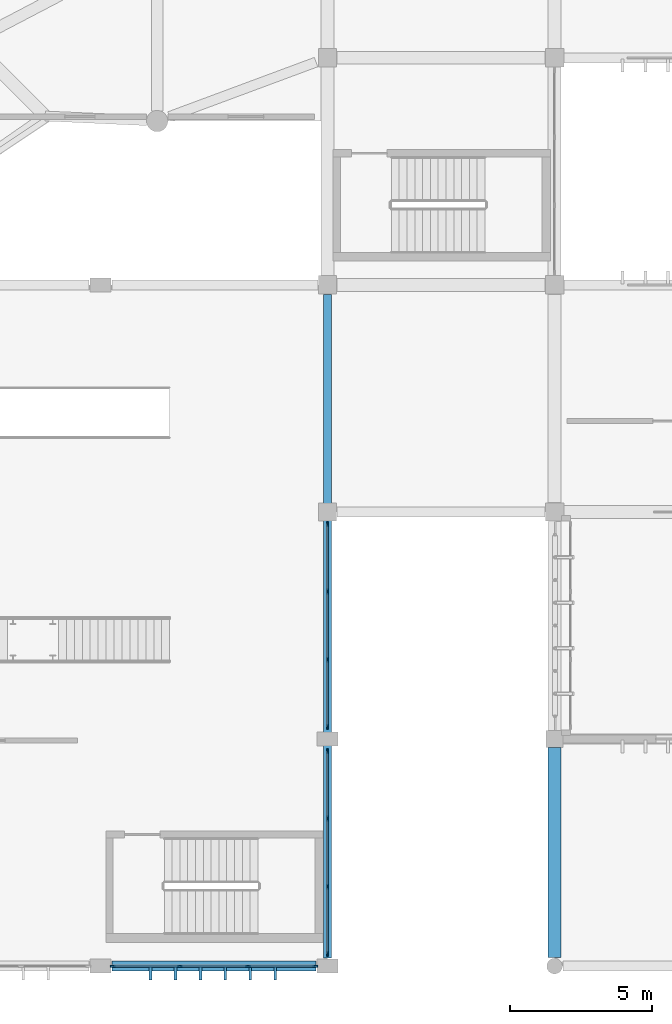
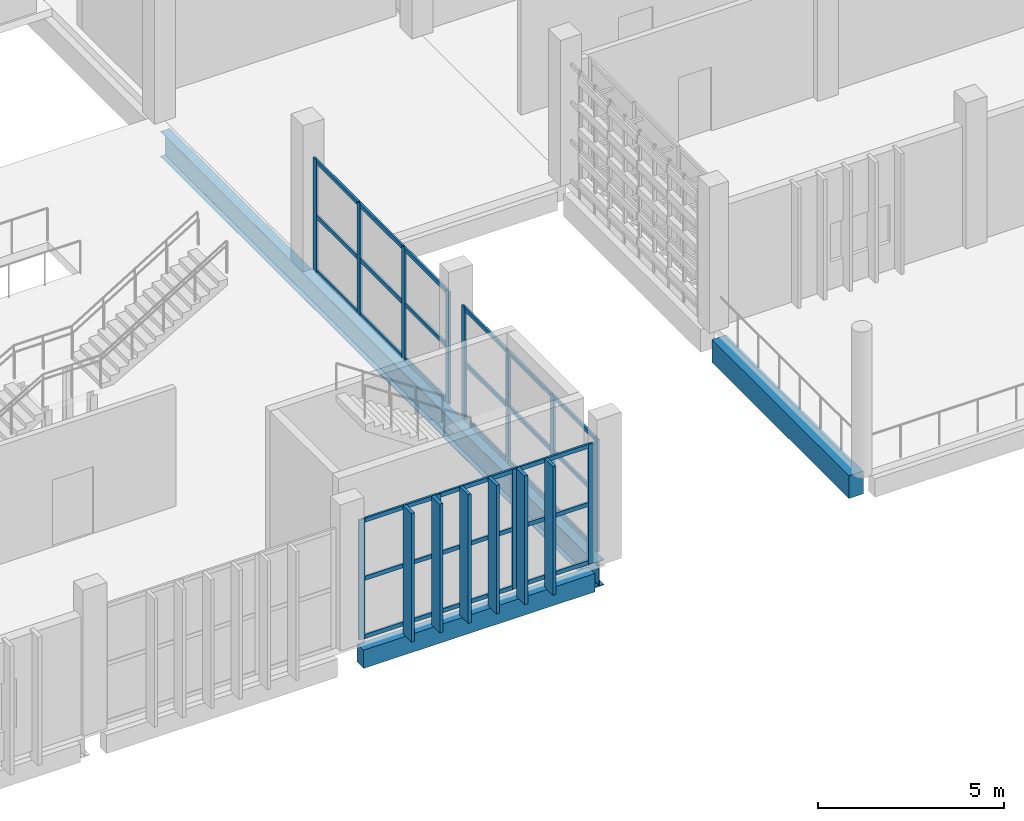
# One storey, part 20 of 106: 45 members, 3 beams, 3 elements without a shape of their own.
"""IFC4 building model written with IfcOpenShell, lengths in metres."""

from ifc_helpers import new_model, si_unit, direction, frame, origin, origin_2d, place, context, subcontext, project, spatial, rectangle, i_section, extrude, material, layer, layer_set, material_profile, profile_set, type_object, element, aggregate, save


model = new_model("IFC4")

# Units and contexts
model_context = context("Model", 3, precision=1e-05, world=origin(), true_north=direction((0.0, 1.0)))
body_context = subcontext(model_context, "Body", "Model", "MODEL_VIEW")
ifc_project = project(units=[si_unit("LENGTHUNIT", "METRE"), si_unit("AREAUNIT", "SQUARE_METRE"), si_unit("VOLUMEUNIT", "CUBIC_METRE"), si_unit("PLANEANGLEUNIT", "RADIAN"), si_unit("MASSUNIT", "GRAM", prefix="KILO")], contexts=[model_context])

# Site, building, storey
site_placement = place(None, origin())
site = spatial("IfcSite", under=ifc_project, at=site_placement, CompositionType="ELEMENT")
building_placement = place(site_placement, origin())
building = spatial("IfcBuilding", under=site, at=building_placement, Name="Jelvoka-Kovrelna Polytechnic", CompositionType="ELEMENT")
storey_placement = place(building_placement, frame((0.0, 0.0, 4.800048828125)))
storey = spatial("IfcBuildingStorey", under=building, at=storey_placement, Name="L02", CompositionType="ELEMENT", Elevation=4.800048828125)

# Beams
ifc_material_1 = material(Name="Concrete C40/50", Category="concrete")
ifc_material_profile_1 = material_profile(ifc_material_1, rectangle(XDim=0.449951171875, YDim=0.75, at=origin_2d()), Name="RC 450x750")
ifc_profile_set_1 = profile_set([ifc_material_profile_1], Name="Concrete C40/50")
beam_type_1 = type_object("IfcBeamType", Name="Beam_RC_450x750", PredefinedType="BEAM", material=ifc_profile_set_1)
beam_1_placement = place(storey_placement, frame((56.0, 0.304931640625, -0.594970703125), z_axis=(0.0, 1.0, 0.0), x_axis=(-1.0, 0.0, 0.0)))
element("IfcBeam", 1, at=beam_1_placement, inside=storey, type_object=beam_type_1, Name="L02 beam 1999", PredefinedType="BEAM", context=body_context, shape_type="SweptSolid", body=[
    extrude(rectangle(XDim=0.449951171875, YDim=0.75, at=origin_2d()), origin(), (0.0, 0.0, 1.0), 7.39013671875),
])
ifc_material_2 = material(Name="Structural steel S355JR", Category="steel")
ifc_material_profile_2 = material_profile(ifc_material_2, i_section(OverallWidth=0.291748046875, OverallDepth=0.8349609375, WebThickness=0.013916015625, FlangeThickness=0.018798828125, FilletRadius=0.017822265625, at=origin_2d()), Name="838x292x176 UB")
ifc_profile_set_2 = profile_set([ifc_material_profile_2], Name="Structural steel S355JR")
beam_type_2 = type_object("IfcBeamType", Name="Girder_Steel_UB838", PredefinedType="BEAM", material=ifc_profile_set_2)
beam_2_placement = place(storey_placement, frame((48.0, 0.280029296875, -0.702392578125), z_axis=(0.0, 1.0, 0.0), x_axis=(-1.0, 0.0, 0.0)))
element("IfcBeam", 2, at=beam_2_placement, inside=storey, type_object=beam_type_2, Name="L02 beam 0160", PredefinedType="BEAM", context=body_context, shape_type="SweptSolid", body=[
    extrude(i_section(OverallWidth=0.291748046875, OverallDepth=0.8349609375, WebThickness=0.013916015625, FlangeThickness=0.018798828125, FilletRadius=0.017822265625, at=origin_2d()), origin(), (0.0, 0.0, 1.0), 23.389892578125),
])

# Members
ifc_material_3 = material(Name="Precast concrete C40/50", Category="concrete")
ifc_material_profile_3 = material_profile(ifc_material_3, rectangle(XDim=0.10009765625, YDim=0.449951171875, at=origin_2d()), Name="PC 100x450")
ifc_profile_set_3 = profile_set([ifc_material_profile_3], Name="Precast concrete C40/50")
member_type_1 = type_object("IfcMemberType", Name="Louvre_Fin_100x450", PredefinedType="USERDEFINED", material=ifc_profile_set_3)
for number, where, z_axis, x_axis, name in (
    (3, (41.760009765625, -0.264892578125, -0.2900390625), (0.0, 0.0, 1.0), (1.0, 0.0, 0.0), "L02 V4 south solar louvre fin 2446"),
    (4, (42.639892578125, -0.264892578125, -0.2900390625), (0.0, 0.0, 1.0), (1.0, 0.0, 0.0), "L02 V4 south solar louvre fin 2447"),
    (5, (43.52001953125, -0.264892578125, -0.2900390625), (0.0, 0.0, 1.0), (1.0, 0.0, 0.0), "L02 V4 south solar louvre fin 2448"),
    (6, (44.39990234375, -0.264892578125, -0.2900390625), (0.0, 0.0, 1.0), (1.0, 0.0, 0.0), "L02 V4 south solar louvre fin 2449"),
    (7, (45.280029296875, -0.264892578125, -0.2900390625), (0.0, 0.0, 1.0), (1.0, 0.0, 0.0), "L02 V4 south solar louvre fin 2450"),
    (8, (46.159912109375, -0.264892578125, -0.2900390625), (0.0, 0.0, 1.0), (1.0, 0.0, 0.0), "L02 V4 south solar louvre fin 2451"),
):
    element("IfcMember", number, at=place(storey_placement, frame(where, z_axis=z_axis, x_axis=x_axis)), inside=storey, type_object=member_type_1, Name=name, ObjectType="SUNSHADE", PredefinedType="USERDEFINED", context=body_context, shape_type="SweptSolid", body=[
        extrude(rectangle(XDim=0.10009765625, YDim=0.449951171875, at=origin_2d()), origin(), (0.0, 0.0, 1.0), 4.22998046875),
    ])

# Curtain wall, members
ifc_material_4 = material(Name="Anodised aluminium 6063-T6", Category="aluminium")
ifc_layer = layer(ifc_material_4, 0.179931640625)
ifc_layer_set = layer_set([ifc_layer], Name="Anodised aluminium 6063-T6")
curtain_wall_type = type_object("IfcCurtainWallType", Name="CW_Pavilion", PredefinedType="NOTDEFINED", material=ifc_layer_set)
curtain_wall_1_placement = place(storey_placement, origin())
curtain_wall_1 = element("IfcCurtainWall", 9, at=curtain_wall_1_placement, inside=storey, type_object=curtain_wall_type, Name="L02 glazed curtain wall 276", PredefinedType="NOTDEFINED")
ifc_material_5 = material(Name="Anodised aluminium 6063-T6", Category="aluminium")
ifc_material_profile_4 = material_profile(ifc_material_5, rectangle(XDim=0.06494140625, YDim=0.179931640625, at=origin_2d()), Name="ALU 65x180")
ifc_profile_set_4 = profile_set([ifc_material_profile_4], Name="Anodised aluminium 6063-T6")
member_type_2 = type_object("IfcMemberType", Name="Mullion_M-05", PredefinedType="MULLION", material=ifc_profile_set_4)
member_1_placement = place(storey_placement, frame((47.5673828125, 0.0, -0.02490234375), z_axis=(0.0, 0.0, 1.0), x_axis=(0.0, -1.0, 0.0)))
member_1 = element("IfcMember", 10, at=member_1_placement, type_object=member_type_2, Name="CW-05 mullion 1", PredefinedType="MULLION", context=body_context, shape_type="SweptSolid", body=[
    extrude(rectangle(XDim=0.06494140625, YDim=0.179931640625, at=origin_2d()), origin(), (0.0, 0.0, 1.0), 3.93994140625),
])
member_2_placement = place(storey_placement, frame((45.199951171875, 0.0, -0.02490234375), z_axis=(0.0, 0.0, 1.0), x_axis=(0.0, -1.0, 0.0)))
member_2 = element("IfcMember", 11, at=member_2_placement, type_object=member_type_2, Name="CW-05 mullion 2", PredefinedType="MULLION", context=body_context, shape_type="SweptSolid", body=[
    extrude(rectangle(XDim=0.06494140625, YDim=0.179931640625, at=origin_2d()), origin(), (0.0, 0.0, 1.0), 3.93994140625),
])
member_3_placement = place(storey_placement, frame((42.800048828125, 0.0, -0.02490234375), z_axis=(0.0, 0.0, 1.0), x_axis=(0.0, -1.0, 0.0)))
member_3 = element("IfcMember", 12, at=member_3_placement, type_object=member_type_2, Name="CW-05 mullion 3", PredefinedType="MULLION", context=body_context, shape_type="SweptSolid", body=[
    extrude(rectangle(XDim=0.06494140625, YDim=0.179931640625, at=origin_2d()), origin(), (0.0, 0.0, 1.0), 3.93994140625),
])
member_4_placement = place(storey_placement, frame((40.4326171875, 0.0, -0.02490234375), z_axis=(0.0, 0.0, 1.0), x_axis=(0.0, -1.0, 0.0)))
member_4 = element("IfcMember", 13, at=member_4_placement, type_object=member_type_2, Name="CW-05 mullion 4", PredefinedType="MULLION", context=body_context, shape_type="SweptSolid", body=[
    extrude(rectangle(XDim=0.06494140625, YDim=0.179931640625, at=origin_2d()), origin(), (0.0, 0.0, 1.0), 3.93994140625),
])

curtain_wall_2_placement = place(storey_placement, origin())
curtain_wall_2 = element("IfcCurtainWall", 14, at=curtain_wall_2_placement, inside=storey, type_object=curtain_wall_type, Name="L02 glazed curtain wall 277", PredefinedType="NOTDEFINED")
member_5_placement = place(storey_placement, frame((48.0, 7.5673828125, -0.02490234375), z_axis=(0.0, 0.0, 1.0), x_axis=(1.0, 0.0, 0.0)))
member_5 = element("IfcMember", 15, at=member_5_placement, type_object=member_type_2, Name="CW-05 mullion 1", PredefinedType="MULLION", context=body_context, shape_type="SweptSolid", body=[
    extrude(rectangle(XDim=0.06494140625, YDim=0.179931640625, at=origin_2d()), origin(), (0.0, 0.0, 1.0), 3.705078125),
])
member_6_placement = place(storey_placement, frame((48.0, 5.199951171875, -0.02490234375), z_axis=(0.0, 0.0, 1.0), x_axis=(1.0, 0.0, 0.0)))
member_6 = element("IfcMember", 16, at=member_6_placement, type_object=member_type_2, Name="CW-05 mullion 2", PredefinedType="MULLION", context=body_context, shape_type="SweptSolid", body=[
    extrude(rectangle(XDim=0.06494140625, YDim=0.179931640625, at=origin_2d()), origin(), (0.0, 0.0, 1.0), 3.705078125),
])
member_7_placement = place(storey_placement, frame((48.0, 2.800048828125, -0.02490234375), z_axis=(0.0, 0.0, 1.0), x_axis=(1.0, 0.0, 0.0)))
member_7 = element("IfcMember", 17, at=member_7_placement, type_object=member_type_2, Name="CW-05 mullion 3", PredefinedType="MULLION", context=body_context, shape_type="SweptSolid", body=[
    extrude(rectangle(XDim=0.06494140625, YDim=0.179931640625, at=origin_2d()), origin(), (0.0, 0.0, 1.0), 3.705078125),
])
member_8_placement = place(storey_placement, frame((48.0, 0.4326171875, -0.02490234375), z_axis=(0.0, 0.0, 1.0), x_axis=(1.0, 0.0, 0.0)))
member_8 = element("IfcMember", 18, at=member_8_placement, type_object=member_type_2, Name="CW-05 mullion 4", PredefinedType="MULLION", context=body_context, shape_type="SweptSolid", body=[
    extrude(rectangle(XDim=0.06494140625, YDim=0.179931640625, at=origin_2d()), origin(), (0.0, 0.0, 1.0), 3.705078125),
])

curtain_wall_3_placement = place(storey_placement, origin())
curtain_wall_3 = element("IfcCurtainWall", 19, at=curtain_wall_3_placement, inside=storey, type_object=curtain_wall_type, Name="L02 glazed curtain wall 278", PredefinedType="NOTDEFINED")
member_9_placement = place(storey_placement, frame((48.0, 15.5673828125, -0.02490234375), z_axis=(0.0, 0.0, 1.0), x_axis=(1.0, 0.0, 0.0)))
member_9 = element("IfcMember", 20, at=member_9_placement, type_object=member_type_2, Name="CW-05 mullion 1", PredefinedType="MULLION", context=body_context, shape_type="SweptSolid", body=[
    extrude(rectangle(XDim=0.06494140625, YDim=0.179931640625, at=origin_2d()), origin(), (0.0, 0.0, 1.0), 3.705078125),
])
member_10_placement = place(storey_placement, frame((48.0, 13.199951171875, -0.02490234375), z_axis=(0.0, 0.0, 1.0), x_axis=(1.0, 0.0, 0.0)))
member_10 = element("IfcMember", 21, at=member_10_placement, type_object=member_type_2, Name="CW-05 mullion 2", PredefinedType="MULLION", context=body_context, shape_type="SweptSolid", body=[
    extrude(rectangle(XDim=0.06494140625, YDim=0.179931640625, at=origin_2d()), origin(), (0.0, 0.0, 1.0), 3.705078125),
])
member_11_placement = place(storey_placement, frame((48.0, 10.800048828125, -0.02490234375), z_axis=(0.0, 0.0, 1.0), x_axis=(1.0, 0.0, 0.0)))
member_11 = element("IfcMember", 22, at=member_11_placement, type_object=member_type_2, Name="CW-05 mullion 3", PredefinedType="MULLION", context=body_context, shape_type="SweptSolid", body=[
    extrude(rectangle(XDim=0.06494140625, YDim=0.179931640625, at=origin_2d()), origin(), (0.0, 0.0, 1.0), 3.705078125),
])
member_12_placement = place(storey_placement, frame((48.0, 8.4326171875, -0.02490234375), z_axis=(0.0, 0.0, 1.0), x_axis=(1.0, 0.0, 0.0)))
member_12 = element("IfcMember", 23, at=member_12_placement, type_object=member_type_2, Name="CW-05 mullion 4", PredefinedType="MULLION", context=body_context, shape_type="SweptSolid", body=[
    extrude(rectangle(XDim=0.06494140625, YDim=0.179931640625, at=origin_2d()), origin(), (0.0, 0.0, 1.0), 3.705078125),
])

# Beam
ifc_material_6 = material(Name="Concrete C40/50", Category="concrete")
ifc_material_profile_5 = material_profile(ifc_material_6, rectangle(XDim=0.35009765625, YDim=0.60009765625, at=origin_2d()), Name="RC 350x600")
ifc_profile_set_5 = profile_set([ifc_material_profile_5], Name="Concrete C40/50")
beam_type_3 = type_object("IfcBeamType", Name="Spandrel_RC_350x600", PredefinedType="SPANDREL", material=ifc_profile_set_5)
beam_3_placement = place(storey_placement, frame((40.405029296875, 0.0, -0.5849609375), z_axis=(1.0, 0.0, 0.0), x_axis=(0.0, 1.0, 0.0)))
element("IfcBeam", 24, at=beam_3_placement, inside=storey, type_object=beam_type_3, Name="L02 beam 0167", PredefinedType="SPANDREL", context=body_context, shape_type="SweptSolid", body=[
    extrude(rectangle(XDim=0.35009765625, YDim=0.60009765625, at=origin_2d()), origin(), (0.0, 0.0, 1.0), 7.18994140625),
])

# Member
ifc_material_7 = material(Name="Anodised aluminium 6063-T6", Category="aluminium")
ifc_material_profile_6 = material_profile(ifc_material_7, rectangle(XDim=0.06494140625, YDim=0.135009765625, at=origin_2d()), Name="ALU 65x135")
ifc_profile_set_6 = profile_set([ifc_material_profile_6], Name="Anodised aluminium 6063-T6")
member_type_3 = type_object("IfcMemberType", Name="Transom_T-05", PredefinedType="USERDEFINED", material=ifc_profile_set_6)
member_13_placement = place(storey_placement, frame((47.534912109375, 0.0, 0.032470703125), z_axis=(-1.0, 0.0, 0.0), x_axis=(0.0, -1.0, 0.0)))
member_13 = element("IfcMember", 25, at=member_13_placement, type_object=member_type_3, Name="CW-05 transom 1.1", ObjectType="TRANSOM", PredefinedType="USERDEFINED", context=body_context, shape_type="SweptSolid", body=[
    extrude(rectangle(XDim=0.06494140625, YDim=0.135009765625, at=origin_2d()), origin(), (0.0, 0.0, 1.0), 2.302490234375),
])

member_14_placement = place(storey_placement, frame((47.534912109375, 0.0, 1.945068359375), z_axis=(-1.0, 0.0, 0.0), x_axis=(0.0, -1.0, 0.0)))
member_14 = element("IfcMember", 26, at=member_14_placement, type_object=member_type_3, Name="CW-05 transom 1.2", ObjectType="TRANSOM", PredefinedType="USERDEFINED", context=body_context, shape_type="SweptSolid", body=[
    extrude(rectangle(XDim=0.06494140625, YDim=0.135009765625, at=origin_2d()), origin(), (0.0, 0.0, 1.0), 2.302490234375),
])

member_15_placement = place(storey_placement, frame((47.534912109375, 0.0, 3.857421875), z_axis=(-1.0, 0.0, 0.0), x_axis=(0.0, -1.0, 0.0)))
member_15 = element("IfcMember", 27, at=member_15_placement, type_object=member_type_3, Name="CW-05 transom 1.3", ObjectType="TRANSOM", PredefinedType="USERDEFINED", context=body_context, shape_type="SweptSolid", body=[
    extrude(rectangle(XDim=0.06494140625, YDim=0.135009765625, at=origin_2d()), origin(), (0.0, 0.0, 1.0), 2.302490234375),
])

member_16_placement = place(storey_placement, frame((45.16748046875, 0.0, 0.032470703125), z_axis=(-1.0, 0.0, 0.0), x_axis=(0.0, -1.0, 0.0)))
member_16 = element("IfcMember", 28, at=member_16_placement, type_object=member_type_3, Name="CW-05 transom 2.1", ObjectType="TRANSOM", PredefinedType="USERDEFINED", context=body_context, shape_type="SweptSolid", body=[
    extrude(rectangle(XDim=0.06494140625, YDim=0.135009765625, at=origin_2d()), origin(), (0.0, 0.0, 1.0), 2.3349609375),
])

member_17_placement = place(storey_placement, frame((45.16748046875, 0.0, 1.945068359375), z_axis=(-1.0, 0.0, 0.0), x_axis=(0.0, -1.0, 0.0)))
member_17 = element("IfcMember", 29, at=member_17_placement, type_object=member_type_3, Name="CW-05 transom 2.2", ObjectType="TRANSOM", PredefinedType="USERDEFINED", context=body_context, shape_type="SweptSolid", body=[
    extrude(rectangle(XDim=0.06494140625, YDim=0.135009765625, at=origin_2d()), origin(), (0.0, 0.0, 1.0), 2.3349609375),
])

member_18_placement = place(storey_placement, frame((45.16748046875, 0.0, 3.857421875), z_axis=(-1.0, 0.0, 0.0), x_axis=(0.0, -1.0, 0.0)))
member_18 = element("IfcMember", 30, at=member_18_placement, type_object=member_type_3, Name="CW-05 transom 2.3", ObjectType="TRANSOM", PredefinedType="USERDEFINED", context=body_context, shape_type="SweptSolid", body=[
    extrude(rectangle(XDim=0.06494140625, YDim=0.135009765625, at=origin_2d()), origin(), (0.0, 0.0, 1.0), 2.3349609375),
])

member_19_placement = place(storey_placement, frame((42.767578125, 0.0, 0.032470703125), z_axis=(-1.0, 0.0, 0.0), x_axis=(0.0, -1.0, 0.0)))
member_19 = element("IfcMember", 31, at=member_19_placement, type_object=member_type_3, Name="CW-05 transom 3.1", ObjectType="TRANSOM", PredefinedType="USERDEFINED", context=body_context, shape_type="SweptSolid", body=[
    extrude(rectangle(XDim=0.06494140625, YDim=0.135009765625, at=origin_2d()), origin(), (0.0, 0.0, 1.0), 2.302490234375),
])

member_20_placement = place(storey_placement, frame((42.767578125, 0.0, 1.945068359375), z_axis=(-1.0, 0.0, 0.0), x_axis=(0.0, -1.0, 0.0)))
member_20 = element("IfcMember", 32, at=member_20_placement, type_object=member_type_3, Name="CW-05 transom 3.2", ObjectType="TRANSOM", PredefinedType="USERDEFINED", context=body_context, shape_type="SweptSolid", body=[
    extrude(rectangle(XDim=0.06494140625, YDim=0.135009765625, at=origin_2d()), origin(), (0.0, 0.0, 1.0), 2.302490234375),
])

member_21_placement = place(storey_placement, frame((42.767578125, 0.0, 3.857421875), z_axis=(-1.0, 0.0, 0.0), x_axis=(0.0, -1.0, 0.0)))
member_21 = element("IfcMember", 33, at=member_21_placement, type_object=member_type_3, Name="CW-05 transom 3.3", ObjectType="TRANSOM", PredefinedType="USERDEFINED", context=body_context, shape_type="SweptSolid", body=[
    extrude(rectangle(XDim=0.06494140625, YDim=0.135009765625, at=origin_2d()), origin(), (0.0, 0.0, 1.0), 2.302490234375),
])

aggregate(curtain_wall_1, [member_1, member_2, member_3, member_4, member_13, member_14, member_15, member_16, member_17, member_18, member_19, member_20, member_21])

member_22_placement = place(storey_placement, frame((48.0, 7.534912109375, 0.032470703125), z_axis=(0.0, -1.0, 0.0), x_axis=(1.0, 0.0, 0.0)))
member_22 = element("IfcMember", 34, at=member_22_placement, type_object=member_type_3, Name="CW-05 transom 1.1", ObjectType="TRANSOM", PredefinedType="USERDEFINED", context=body_context, shape_type="SweptSolid", body=[
    extrude(rectangle(XDim=0.06494140625, YDim=0.135009765625, at=origin_2d()), origin(), (0.0, 0.0, 1.0), 2.302490234375),
])

member_23_placement = place(storey_placement, frame((48.0, 7.534912109375, 1.827392578125), z_axis=(0.0, -1.0, 0.0), x_axis=(1.0, 0.0, 0.0)))
member_23 = element("IfcMember", 35, at=member_23_placement, type_object=member_type_3, Name="CW-05 transom 1.2", ObjectType="TRANSOM", PredefinedType="USERDEFINED", context=body_context, shape_type="SweptSolid", body=[
    extrude(rectangle(XDim=0.06494140625, YDim=0.135009765625, at=origin_2d()), origin(), (0.0, 0.0, 1.0), 2.302490234375),
])

member_24_placement = place(storey_placement, frame((48.0, 7.534912109375, 3.62255859375), z_axis=(0.0, -1.0, 0.0), x_axis=(1.0, 0.0, 0.0)))
member_24 = element("IfcMember", 36, at=member_24_placement, type_object=member_type_3, Name="CW-05 transom 1.3", ObjectType="TRANSOM", PredefinedType="USERDEFINED", context=body_context, shape_type="SweptSolid", body=[
    extrude(rectangle(XDim=0.06494140625, YDim=0.135009765625, at=origin_2d()), origin(), (0.0, 0.0, 1.0), 2.302490234375),
])

member_25_placement = place(storey_placement, frame((48.0, 5.16748046875, 0.032470703125), z_axis=(0.0, -1.0, 0.0), x_axis=(1.0, 0.0, 0.0)))
member_25 = element("IfcMember", 37, at=member_25_placement, type_object=member_type_3, Name="CW-05 transom 2.1", ObjectType="TRANSOM", PredefinedType="USERDEFINED", context=body_context, shape_type="SweptSolid", body=[
    extrude(rectangle(XDim=0.06494140625, YDim=0.135009765625, at=origin_2d()), origin(), (0.0, 0.0, 1.0), 2.3349609375),
])

member_26_placement = place(storey_placement, frame((48.0, 5.16748046875, 1.827392578125), z_axis=(0.0, -1.0, 0.0), x_axis=(1.0, 0.0, 0.0)))
member_26 = element("IfcMember", 38, at=member_26_placement, type_object=member_type_3, Name="CW-05 transom 2.2", ObjectType="TRANSOM", PredefinedType="USERDEFINED", context=body_context, shape_type="SweptSolid", body=[
    extrude(rectangle(XDim=0.06494140625, YDim=0.135009765625, at=origin_2d()), origin(), (0.0, 0.0, 1.0), 2.3349609375),
])

member_27_placement = place(storey_placement, frame((48.0, 5.16748046875, 3.62255859375), z_axis=(0.0, -1.0, 0.0), x_axis=(1.0, 0.0, 0.0)))
member_27 = element("IfcMember", 39, at=member_27_placement, type_object=member_type_3, Name="CW-05 transom 2.3", ObjectType="TRANSOM", PredefinedType="USERDEFINED", context=body_context, shape_type="SweptSolid", body=[
    extrude(rectangle(XDim=0.06494140625, YDim=0.135009765625, at=origin_2d()), origin(), (0.0, 0.0, 1.0), 2.3349609375),
])

member_28_placement = place(storey_placement, frame((48.0, 2.767578125, 0.032470703125), z_axis=(0.0, -1.0, 0.0), x_axis=(1.0, 0.0, 0.0)))
member_28 = element("IfcMember", 40, at=member_28_placement, type_object=member_type_3, Name="CW-05 transom 3.1", ObjectType="TRANSOM", PredefinedType="USERDEFINED", context=body_context, shape_type="SweptSolid", body=[
    extrude(rectangle(XDim=0.06494140625, YDim=0.135009765625, at=origin_2d()), origin(), (0.0, 0.0, 1.0), 2.302490234375),
])

member_29_placement = place(storey_placement, frame((48.0, 2.767578125, 1.827392578125), z_axis=(0.0, -1.0, 0.0), x_axis=(1.0, 0.0, 0.0)))
member_29 = element("IfcMember", 41, at=member_29_placement, type_object=member_type_3, Name="CW-05 transom 3.2", ObjectType="TRANSOM", PredefinedType="USERDEFINED", context=body_context, shape_type="SweptSolid", body=[
    extrude(rectangle(XDim=0.06494140625, YDim=0.135009765625, at=origin_2d()), origin(), (0.0, 0.0, 1.0), 2.302490234375),
])

member_30_placement = place(storey_placement, frame((48.0, 2.767578125, 3.62255859375), z_axis=(0.0, -1.0, 0.0), x_axis=(1.0, 0.0, 0.0)))
member_30 = element("IfcMember", 42, at=member_30_placement, type_object=member_type_3, Name="CW-05 transom 3.3", ObjectType="TRANSOM", PredefinedType="USERDEFINED", context=body_context, shape_type="SweptSolid", body=[
    extrude(rectangle(XDim=0.06494140625, YDim=0.135009765625, at=origin_2d()), origin(), (0.0, 0.0, 1.0), 2.302490234375),
])

aggregate(curtain_wall_2, [member_5, member_6, member_7, member_8, member_22, member_23, member_24, member_25, member_26, member_27, member_28, member_29, member_30])

member_31_placement = place(storey_placement, frame((48.0, 15.534912109375, 0.032470703125), z_axis=(0.0, -1.0, 0.0), x_axis=(1.0, 0.0, 0.0)))
member_31 = element("IfcMember", 43, at=member_31_placement, type_object=member_type_3, Name="CW-05 transom 1.1", ObjectType="TRANSOM", PredefinedType="USERDEFINED", context=body_context, shape_type="SweptSolid", body=[
    extrude(rectangle(XDim=0.06494140625, YDim=0.135009765625, at=origin_2d()), origin(), (0.0, 0.0, 1.0), 2.302490234375),
])

member_32_placement = place(storey_placement, frame((48.0, 15.534912109375, 1.827392578125), z_axis=(0.0, -1.0, 0.0), x_axis=(1.0, 0.0, 0.0)))
member_32 = element("IfcMember", 44, at=member_32_placement, type_object=member_type_3, Name="CW-05 transom 1.2", ObjectType="TRANSOM", PredefinedType="USERDEFINED", context=body_context, shape_type="SweptSolid", body=[
    extrude(rectangle(XDim=0.06494140625, YDim=0.135009765625, at=origin_2d()), origin(), (0.0, 0.0, 1.0), 2.302490234375),
])

member_33_placement = place(storey_placement, frame((48.0, 15.534912109375, 3.62255859375), z_axis=(0.0, -1.0, 0.0), x_axis=(1.0, 0.0, 0.0)))
member_33 = element("IfcMember", 45, at=member_33_placement, type_object=member_type_3, Name="CW-05 transom 1.3", ObjectType="TRANSOM", PredefinedType="USERDEFINED", context=body_context, shape_type="SweptSolid", body=[
    extrude(rectangle(XDim=0.06494140625, YDim=0.135009765625, at=origin_2d()), origin(), (0.0, 0.0, 1.0), 2.302490234375),
])

member_34_placement = place(storey_placement, frame((48.0, 13.16748046875, 0.032470703125), z_axis=(0.0, -1.0, 0.0), x_axis=(1.0, 0.0, 0.0)))
member_34 = element("IfcMember", 46, at=member_34_placement, type_object=member_type_3, Name="CW-05 transom 2.1", ObjectType="TRANSOM", PredefinedType="USERDEFINED", context=body_context, shape_type="SweptSolid", body=[
    extrude(rectangle(XDim=0.06494140625, YDim=0.135009765625, at=origin_2d()), origin(), (0.0, 0.0, 1.0), 2.3349609375),
])

member_35_placement = place(storey_placement, frame((48.0, 13.16748046875, 1.827392578125), z_axis=(0.0, -1.0, 0.0), x_axis=(1.0, 0.0, 0.0)))
member_35 = element("IfcMember", 47, at=member_35_placement, type_object=member_type_3, Name="CW-05 transom 2.2", ObjectType="TRANSOM", PredefinedType="USERDEFINED", context=body_context, shape_type="SweptSolid", body=[
    extrude(rectangle(XDim=0.06494140625, YDim=0.135009765625, at=origin_2d()), origin(), (0.0, 0.0, 1.0), 2.3349609375),
])

member_36_placement = place(storey_placement, frame((48.0, 13.16748046875, 3.62255859375), z_axis=(0.0, -1.0, 0.0), x_axis=(1.0, 0.0, 0.0)))
member_36 = element("IfcMember", 48, at=member_36_placement, type_object=member_type_3, Name="CW-05 transom 2.3", ObjectType="TRANSOM", PredefinedType="USERDEFINED", context=body_context, shape_type="SweptSolid", body=[
    extrude(rectangle(XDim=0.06494140625, YDim=0.135009765625, at=origin_2d()), origin(), (0.0, 0.0, 1.0), 2.3349609375),
])

member_37_placement = place(storey_placement, frame((48.0, 10.767578125, 0.032470703125), z_axis=(0.0, -1.0, 0.0), x_axis=(1.0, 0.0, 0.0)))
member_37 = element("IfcMember", 49, at=member_37_placement, type_object=member_type_3, Name="CW-05 transom 3.1", ObjectType="TRANSOM", PredefinedType="USERDEFINED", context=body_context, shape_type="SweptSolid", body=[
    extrude(rectangle(XDim=0.06494140625, YDim=0.135009765625, at=origin_2d()), origin(), (0.0, 0.0, 1.0), 2.302490234375),
])

member_38_placement = place(storey_placement, frame((48.0, 10.767578125, 1.827392578125), z_axis=(0.0, -1.0, 0.0), x_axis=(1.0, 0.0, 0.0)))
member_38 = element("IfcMember", 50, at=member_38_placement, type_object=member_type_3, Name="CW-05 transom 3.2", ObjectType="TRANSOM", PredefinedType="USERDEFINED", context=body_context, shape_type="SweptSolid", body=[
    extrude(rectangle(XDim=0.06494140625, YDim=0.135009765625, at=origin_2d()), origin(), (0.0, 0.0, 1.0), 2.302490234375),
])

member_39_placement = place(storey_placement, frame((48.0, 10.767578125, 3.62255859375), z_axis=(0.0, -1.0, 0.0), x_axis=(1.0, 0.0, 0.0)))
member_39 = element("IfcMember", 51, at=member_39_placement, type_object=member_type_3, Name="CW-05 transom 3.3", ObjectType="TRANSOM", PredefinedType="USERDEFINED", context=body_context, shape_type="SweptSolid", body=[
    extrude(rectangle(XDim=0.06494140625, YDim=0.135009765625, at=origin_2d()), origin(), (0.0, 0.0, 1.0), 2.302490234375),
])

aggregate(curtain_wall_3, [member_9, member_10, member_11, member_12, member_31, member_32, member_33, member_34, member_35, member_36, member_37, member_38, member_39])

save(model, "model.ifc")
